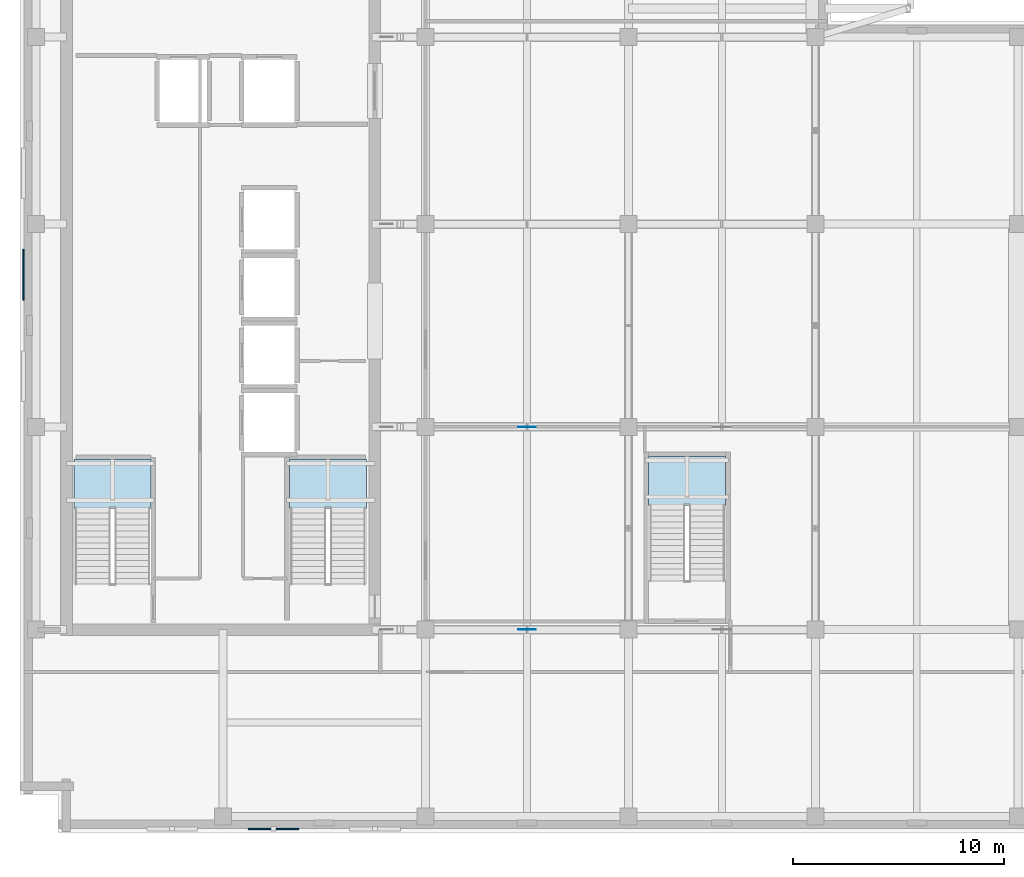
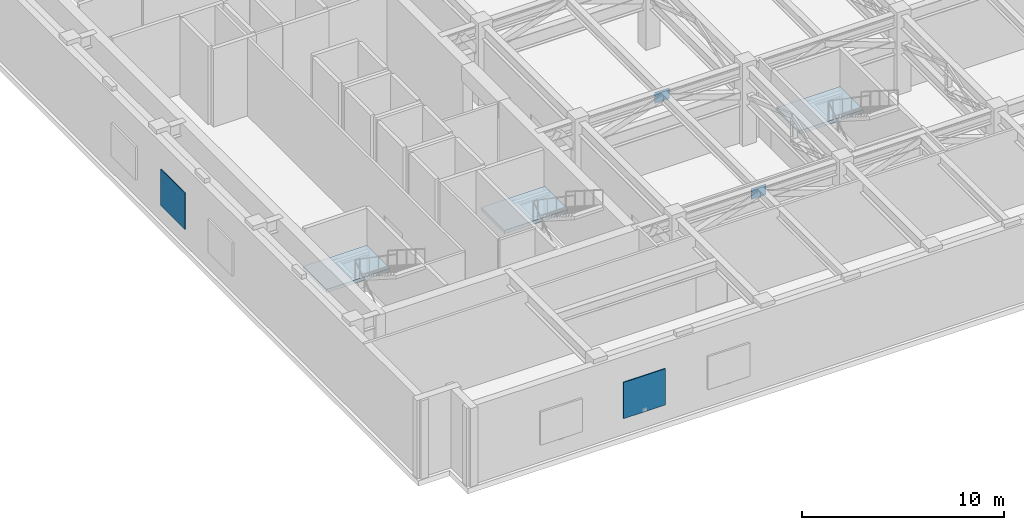
# One storey, part 8 of 19: 4 plates, 3 slabs, 3 elements without a shape of their own.
"""IFC4 building model written with IfcOpenShell, lengths in metres."""

from ifc_helpers import new_model, si_unit, direction, frame, origin, origin_2d, place, context, subcontext, project, spatial, polyline, rectangle, outline, extrude, material, layer, layer_set, type_object, element, aggregate, save


model = new_model("IFC4")

# Units and contexts
model_context = context("Model", 3, precision=1e-05, world=origin(), true_north=direction((0.0, 1.0)))
body_context = subcontext(model_context, "Body", "Model", "MODEL_VIEW")
ifc_project = project(units=[si_unit("LENGTHUNIT", "METRE"), si_unit("AREAUNIT", "SQUARE_METRE"), si_unit("VOLUMEUNIT", "CUBIC_METRE"), si_unit("PLANEANGLEUNIT", "RADIAN"), si_unit("MASSUNIT", "GRAM", prefix="KILO")], contexts=[model_context])

# Site, building, storey
site_placement = place(None, origin())
site = spatial("IfcSite", under=ifc_project, at=site_placement, CompositionType="ELEMENT")
building_placement = place(site_placement, origin())
building = spatial("IfcBuilding", under=site, at=building_placement, Name="Norrvale University Quadrangle", CompositionType="ELEMENT")
storey_placement = place(building_placement, frame((0.0, 0.0, 256.0)))
storey = spatial("IfcBuildingStorey", under=building, at=storey_placement, Name="L65", CompositionType="ELEMENT", Elevation=256.0)

# Plates
ifc_material_1 = material(Name="Perforated Acoustic Aluminium Screen", Category="aluminium")
ifc_layer_1 = layer(ifc_material_1, 0.06005859375, Name="Perforated Acoustic Aluminium Screen")
ifc_layer_set_1 = layer_set([ifc_layer_1], Name="Perforated Acoustic Aluminium Screen")
plate_type_1 = type_object("IfcPlateType", Name="Plate Crown Screen 60", PredefinedType="USERDEFINED", material=ifc_layer_set_1)
for number, where, z_axis, x_axis, name in (
    (1, (12.0, 0.159912109375, 1.0), (0.0, 0.0, 1.0), (1.0, 0.0, 0.0), "Acoustic Louvered Crown Screen 009"),
    (2, (0.159912109375, 26.39990234375, 1.0), (0.0, 0.0, 1.0), (0.0, -1.0, 0.0), "Acoustic Louvered Crown Screen 012"),
):
    element("IfcPlate", number, at=place(storey_placement, frame(where, z_axis=z_axis, x_axis=x_axis)), inside=storey, type_object=plate_type_1, Name=name, ObjectType="CROWN SCREEN", PredefinedType="USERDEFINED", context=body_context, shape_type="SweptSolid", body=[
        extrude(rectangle(XDim=2.39990234375, YDim=0.06005859375, at=origin_2d()), origin(), (0.0, 0.0, 1.0), 2.199951171875),
    ])
ifc_material_2 = material(Name="Steel 350W", Category="steel")
ifc_layer_2 = layer(ifc_material_2, 0.02490234375, Name="Steel 350W")
ifc_layer_set_2 = layer_set([ifc_layer_2], Name="Steel 350W")
plate_type_2 = type_object("IfcPlateType", Name="Plate Gusset 25", PredefinedType="USERDEFINED", material=ifc_layer_set_2)
for number, where, z_axis, x_axis, name in (
    (3, (24.0, 9.60009765625, 4.06494140625), (0.0, 0.0, 1.0), (1.0, 0.0, 0.0), "Outrigger Truss Gusset Plate 35"),
    (4, (24.0, 19.199951171875, 4.06494140625), (0.0, 0.0, 1.0), (1.0, 0.0, 0.0), "Outrigger Truss Gusset Plate 39"),
):
    element("IfcPlate", number, at=place(storey_placement, frame(where, z_axis=z_axis, x_axis=x_axis)), inside=storey, type_object=plate_type_2, Name=name, ObjectType="GUSSET_PLATE", PredefinedType="USERDEFINED", context=body_context, shape_type="SweptSolid", body=[
        extrude(rectangle(XDim=0.85009765625, YDim=0.02490234375, at=origin_2d()), origin(), (0.0, 0.0, 1.0), 0.64990234375),
    ])

# Stair, slab
ifc_material_3 = material(Name="Concrete C40/50", Category="concrete")
stair_type = type_object("IfcStairType", Name="Stair Tower Plant 5000", PredefinedType="TWO_STRAIGHT_RUN_STAIR", material=ifc_material_3)
stair_1_placement = place(storey_placement, origin())
stair_1 = element("IfcStair", 5, at=stair_1_placement, inside=storey, type_object=stair_type, Name="Exit Stair ST-01 L65", PredefinedType="TWO_STRAIGHT_RUN_STAIR")
ifc_layer_3 = layer(ifc_material_3, 0.199951171875, Name="Concrete C40/50")
ifc_layer_set_3 = layer_set([ifc_layer_3], Name="Concrete C40/50")
slab_type = type_object("IfcSlabType", Name="Slab Landing 200", PredefinedType="LANDING", material=ifc_layer_set_3)
slab_1_placement = place(storey_placement, frame((0.0, 0.0, 2.300048828125)))
slab_1 = element("IfcSlab", 6, at=slab_1_placement, type_object=slab_type, Name="Exit Stair ST-01 L65 Mid Landing", PredefinedType="LANDING", context=body_context, shape_type="SweptSolid", body=[
    extrude(outline(polyline([(2.550048828125, 15.330078125), (6.199951171875, 15.330078125), (6.199951171875, 17.64990234375), (2.550048828125, 17.64990234375), (2.550048828125, 15.330078125)])), origin(), (0.0, 0.0, 1.0), 0.199951171875),
])
aggregate(stair_1, [slab_1])

stair_2_placement = place(storey_placement, origin())
stair_2 = element("IfcStair", 7, at=stair_2_placement, inside=storey, type_object=stair_type, Name="Exit Stair ST-03 L65", PredefinedType="TWO_STRAIGHT_RUN_STAIR")
slab_2_placement = place(storey_placement, frame((0.0, 0.0, 2.300048828125)))
slab_2 = element("IfcSlab", 8, at=slab_2_placement, type_object=slab_type, Name="Exit Stair ST-03 L65 Mid Landing", PredefinedType="LANDING", context=body_context, shape_type="SweptSolid", body=[
    extrude(outline(polyline([(12.75, 15.330078125), (16.39990234375, 15.330078125), (16.39990234375, 17.64990234375), (12.75, 17.64990234375), (12.75, 15.330078125)])), origin(), (0.0, 0.0, 1.0), 0.199951171875),
])
aggregate(stair_2, [slab_2])

stair_3_placement = place(storey_placement, origin())
stair_3 = element("IfcStair", 9, at=stair_3_placement, inside=storey, type_object=stair_type, Name="Exit Stair ST-04 L65", PredefinedType="TWO_STRAIGHT_RUN_STAIR")
slab_3_placement = place(storey_placement, frame((0.0, 0.0, 2.300048828125)))
slab_3 = element("IfcSlab", 10, at=slab_3_placement, type_object=slab_type, Name="Exit Stair ST-04 L65 Mid Landing", PredefinedType="LANDING", context=body_context, shape_type="SweptSolid", body=[
    extrude(outline(polyline([(29.75, 15.47998046875), (33.39990234375, 15.47998046875), (33.39990234375, 17.800048828125), (29.75, 17.800048828125), (29.75, 15.47998046875)])), origin(), (0.0, 0.0, 1.0), 0.199951171875),
])
aggregate(stair_3, [slab_3])

save(model, "model.ifc")
